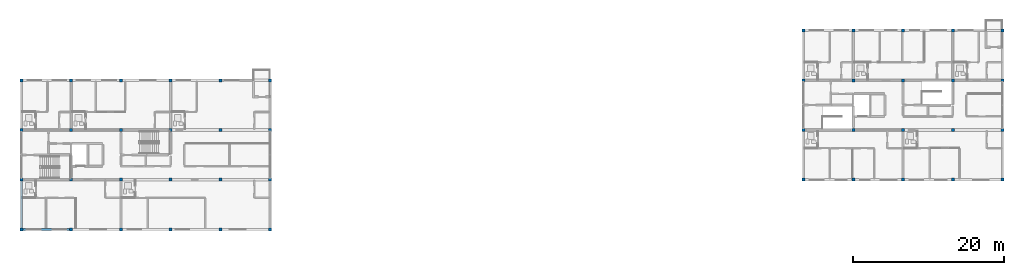
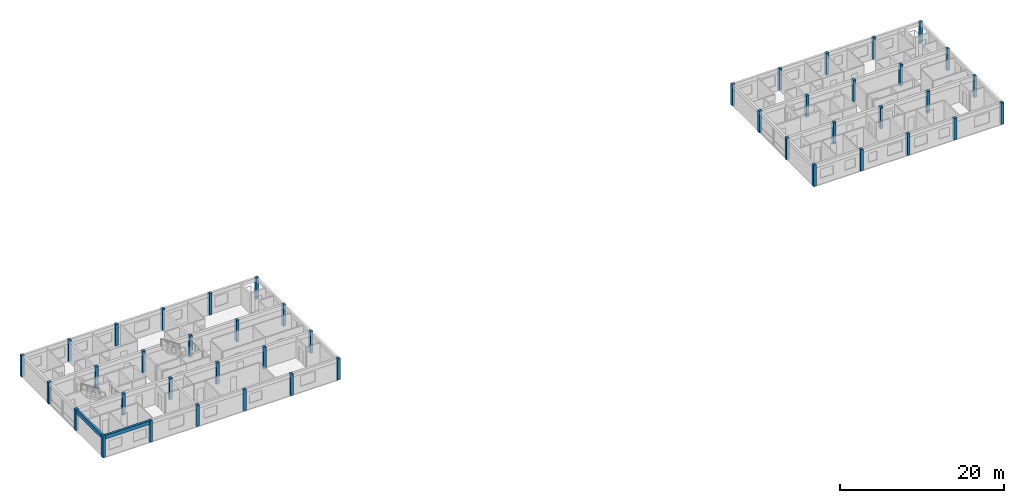
# One storey, part 1 of 23: 44 columns, 2 beams.
"""IFC4 building model written with IfcOpenShell, lengths in metres."""

from ifc_helpers import new_model, si_unit, direction, frame, origin, origin_2d, place, context, subcontext, project, spatial, rectangle, extrude, material, material_profile, profile_set, type_object, element, save


model = new_model("IFC4")

# Units and contexts
model_context = context("Model", 3, precision=1e-05, world=origin(), true_north=direction((0.0, 1.0)))
body_context = subcontext(model_context, "Body", "Model", "MODEL_VIEW")
ifc_project = project(units=[si_unit("LENGTHUNIT", "METRE"), si_unit("AREAUNIT", "SQUARE_METRE"), si_unit("VOLUMEUNIT", "CUBIC_METRE"), si_unit("PLANEANGLEUNIT", "RADIAN"), si_unit("MASSUNIT", "GRAM", prefix="KILO")], contexts=[model_context])

# Site, building, storey
site_placement = place(None, origin())
site = spatial("IfcSite", under=ifc_project, at=site_placement, CompositionType="ELEMENT")
building_placement = place(site_placement, origin())
building = spatial("IfcBuilding", under=site, at=building_placement, Name="Kernevlak Ridge Housing Community", CompositionType="ELEMENT")
storey_placement = place(building_placement, frame((0.0, 0.0, 46.800048828125)))
storey = spatial("IfcBuildingStorey", under=building, at=storey_placement, Name="L14", CompositionType="ELEMENT", Elevation=46.800048828125)

# Columns
ifc_material = material(Name="Concrete C35/45", Category="concrete")
ifc_material_profile_1 = material_profile(ifc_material, rectangle(XDim=0.39990234375, YDim=0.39990234375, at=origin_2d()), Name="RC 400x400")
ifc_profile_set_1 = profile_set([ifc_material_profile_1], Name="Concrete C35/45")
column_type = type_object("IfcColumnType", Name="C-05", PredefinedType="COLUMN", material=ifc_profile_set_1)
for number, where, z_axis, x_axis, name in (
    (1, (15.60009765625, 76.0, 0.0), (0.0, 0.0, 1.0), (1.0, 0.0, 0.0), "Column C-05 COL-A-L14-00-0"),
    (2, (15.60009765625, 82.60009765625, 0.0), (0.0, 0.0, 1.0), (1.0, 0.0, 0.0), "Column C-05 COL-A-L14-00-1"),
    (3, (15.60009765625, 89.199951171875, 0.0), (0.0, 0.0, 1.0), (1.0, 0.0, 0.0), "Column C-05 COL-A-L14-00-2"),
    (4, (15.60009765625, 95.800048828125, 0.0), (0.0, 0.0, 1.0), (1.0, 0.0, 0.0), "Column C-05 COL-A-L14-00-3"),
    (5, (22.199951171875, 76.0, 0.0), (0.0, 0.0, 1.0), (1.0, 0.0, 0.0), "Column C-05 COL-A-L14-01-0"),
    (6, (22.199951171875, 82.60009765625, 0.0), (0.0, 0.0, 1.0), (1.0, 0.0, 0.0), "Column C-05 COL-A-L14-01-1"),
    (7, (22.199951171875, 89.199951171875, 0.0), (0.0, 0.0, 1.0), (1.0, 0.0, 0.0), "Column C-05 COL-A-L14-01-2"),
    (8, (22.199951171875, 95.800048828125, 0.0), (0.0, 0.0, 1.0), (1.0, 0.0, 0.0), "Column C-05 COL-A-L14-01-3"),
    (9, (28.800048828125, 76.0, 0.0), (0.0, 0.0, 1.0), (1.0, 0.0, 0.0), "Column C-05 COL-A-L14-02-0"),
    (10, (28.800048828125, 82.60009765625, 0.0), (0.0, 0.0, 1.0), (1.0, 0.0, 0.0), "Column C-05 COL-A-L14-02-1"),
    (11, (28.800048828125, 89.199951171875, 0.0), (0.0, 0.0, 1.0), (1.0, 0.0, 0.0), "Column C-05 COL-A-L14-02-2"),
    (12, (28.800048828125, 95.800048828125, 0.0), (0.0, 0.0, 1.0), (1.0, 0.0, 0.0), "Column C-05 COL-A-L14-02-3"),
    (13, (35.39990234375, 76.0, 0.0), (0.0, 0.0, 1.0), (1.0, 0.0, 0.0), "Column C-05 COL-A-L14-03-0"),
    (14, (35.39990234375, 82.60009765625, 0.0), (0.0, 0.0, 1.0), (1.0, 0.0, 0.0), "Column C-05 COL-A-L14-03-1"),
    (15, (35.39990234375, 89.199951171875, 0.0), (0.0, 0.0, 1.0), (1.0, 0.0, 0.0), "Column C-05 COL-A-L14-03-2"),
    (16, (35.39990234375, 95.800048828125, 0.0), (0.0, 0.0, 1.0), (1.0, 0.0, 0.0), "Column C-05 COL-A-L14-03-3"),
    (17, (42.0, 76.0, 0.0), (0.0, 0.0, 1.0), (1.0, 0.0, 0.0), "Column C-05 COL-A-L14-04-0"),
    (18, (42.0, 82.60009765625, 0.0), (0.0, 0.0, 1.0), (1.0, 0.0, 0.0), "Column C-05 COL-A-L14-04-1"),
    (19, (42.0, 89.199951171875, 0.0), (0.0, 0.0, 1.0), (1.0, 0.0, 0.0), "Column C-05 COL-A-L14-04-2"),
    (20, (42.0, 95.800048828125, 0.0), (0.0, 0.0, 1.0), (1.0, 0.0, 0.0), "Column C-05 COL-A-L14-04-3"),
    (21, (48.60009765625, 76.0, 0.0), (0.0, 0.0, 1.0), (1.0, 0.0, 0.0), "Column C-05 COL-A-L14-05-0"),
    (22, (48.60009765625, 82.60009765625, 0.0), (0.0, 0.0, 1.0), (1.0, 0.0, 0.0), "Column C-05 COL-A-L14-05-1"),
    (23, (48.60009765625, 89.199951171875, 0.0), (0.0, 0.0, 1.0), (1.0, 0.0, 0.0), "Column C-05 COL-A-L14-05-2"),
    (24, (48.60009765625, 95.800048828125, 0.0), (0.0, 0.0, 1.0), (1.0, 0.0, 0.0), "Column C-05 COL-A-L14-05-3"),
    (25, (119.39990234375, 82.60009765625, 0.0), (0.0, 0.0, 1.0), (1.0, 0.0, 0.0), "Column C-05 COL-B-L14-00-0"),
    (26, (119.39990234375, 89.199951171875, 0.0), (0.0, 0.0, 1.0), (1.0, 0.0, 0.0), "Column C-05 COL-B-L14-00-1"),
    (27, (119.39990234375, 95.800048828125, 0.0), (0.0, 0.0, 1.0), (1.0, 0.0, 0.0), "Column C-05 COL-B-L14-00-2"),
    (28, (119.39990234375, 102.39990234375, 0.0), (0.0, 0.0, 1.0), (1.0, 0.0, 0.0), "Column C-05 COL-B-L14-00-3"),
    (29, (126.0, 82.60009765625, 0.0), (0.0, 0.0, 1.0), (1.0, 0.0, 0.0), "Column C-05 COL-B-L14-01-0"),
    (30, (126.0, 89.199951171875, 0.0), (0.0, 0.0, 1.0), (1.0, 0.0, 0.0), "Column C-05 COL-B-L14-01-1"),
    (31, (126.0, 95.800048828125, 0.0), (0.0, 0.0, 1.0), (1.0, 0.0, 0.0), "Column C-05 COL-B-L14-01-2"),
    (32, (126.0, 102.39990234375, 0.0), (0.0, 0.0, 1.0), (1.0, 0.0, 0.0), "Column C-05 COL-B-L14-01-3"),
    (33, (132.60009765625, 82.60009765625, 0.0), (0.0, 0.0, 1.0), (1.0, 0.0, 0.0), "Column C-05 COL-B-L14-02-0"),
    (34, (132.60009765625, 89.199951171875, 0.0), (0.0, 0.0, 1.0), (1.0, 0.0, 0.0), "Column C-05 COL-B-L14-02-1"),
    (35, (132.60009765625, 95.800048828125, 0.0), (0.0, 0.0, 1.0), (1.0, 0.0, 0.0), "Column C-05 COL-B-L14-02-2"),
    (36, (132.60009765625, 102.39990234375, 0.0), (0.0, 0.0, 1.0), (1.0, 0.0, 0.0), "Column C-05 COL-B-L14-02-3"),
    (37, (139.199951171875, 82.60009765625, 0.0), (0.0, 0.0, 1.0), (1.0, 0.0, 0.0), "Column C-05 COL-B-L14-03-0"),
    (38, (139.199951171875, 89.199951171875, 0.0), (0.0, 0.0, 1.0), (1.0, 0.0, 0.0), "Column C-05 COL-B-L14-03-1"),
    (39, (139.199951171875, 95.800048828125, 0.0), (0.0, 0.0, 1.0), (1.0, 0.0, 0.0), "Column C-05 COL-B-L14-03-2"),
    (40, (139.199951171875, 102.39990234375, 0.0), (0.0, 0.0, 1.0), (1.0, 0.0, 0.0), "Column C-05 COL-B-L14-03-3"),
    (41, (145.800048828125, 82.60009765625, 0.0), (0.0, 0.0, 1.0), (1.0, 0.0, 0.0), "Column C-05 COL-B-L14-04-0"),
    (42, (145.800048828125, 89.199951171875, 0.0), (0.0, 0.0, 1.0), (1.0, 0.0, 0.0), "Column C-05 COL-B-L14-04-1"),
    (43, (145.800048828125, 95.800048828125, 0.0), (0.0, 0.0, 1.0), (1.0, 0.0, 0.0), "Column C-05 COL-B-L14-04-2"),
    (44, (145.800048828125, 102.39990234375, 0.0), (0.0, 0.0, 1.0), (1.0, 0.0, 0.0), "Column C-05 COL-B-L14-04-3"),
):
    element("IfcColumn", number, at=place(storey_placement, frame(where, z_axis=z_axis, x_axis=x_axis)), inside=storey, type_object=column_type, Name=name, PredefinedType="COLUMN", context=body_context, shape_type="SweptSolid", body=[
        extrude(rectangle(XDim=0.39990234375, YDim=0.39990234375, at=origin_2d()), origin(), (0.0, 0.0, 1.0), 3.199951171875),
    ])

# Beams
ifc_material_profile_2 = material_profile(ifc_material, rectangle(XDim=0.300048828125, YDim=0.550048828125, at=origin_2d()), Name="RC 300x550")
ifc_profile_set_2 = profile_set([ifc_material_profile_2], Name="Concrete C35/45")
beam_type = type_object("IfcBeamType", Name="SP-01", PredefinedType="SPANDREL", material=ifc_profile_set_2)
for number, where, z_axis, x_axis, name in (
    (45, (15.800048828125, 76.0, 2.925048828125), (1.0, 0.0, 0.0), (0.0, 1.0, 0.0), "Beam SP-01 L14 421"),
    (46, (15.60009765625, 76.199951171875, 2.925048828125), (0.0, 1.0, 0.0), (-1.0, 0.0, 0.0), "Beam SP-01 L14 441"),
):
    element("IfcBeam", number, at=place(storey_placement, frame(where, z_axis=z_axis, x_axis=x_axis)), inside=storey, type_object=beam_type, Name=name, PredefinedType="SPANDREL", context=body_context, shape_type="SweptSolid", body=[
        extrude(rectangle(XDim=0.300048828125, YDim=0.550048828125, at=origin_2d()), origin(), (0.0, 0.0, 1.0), 6.199951171875),
    ])

save(model, "model.ifc")
